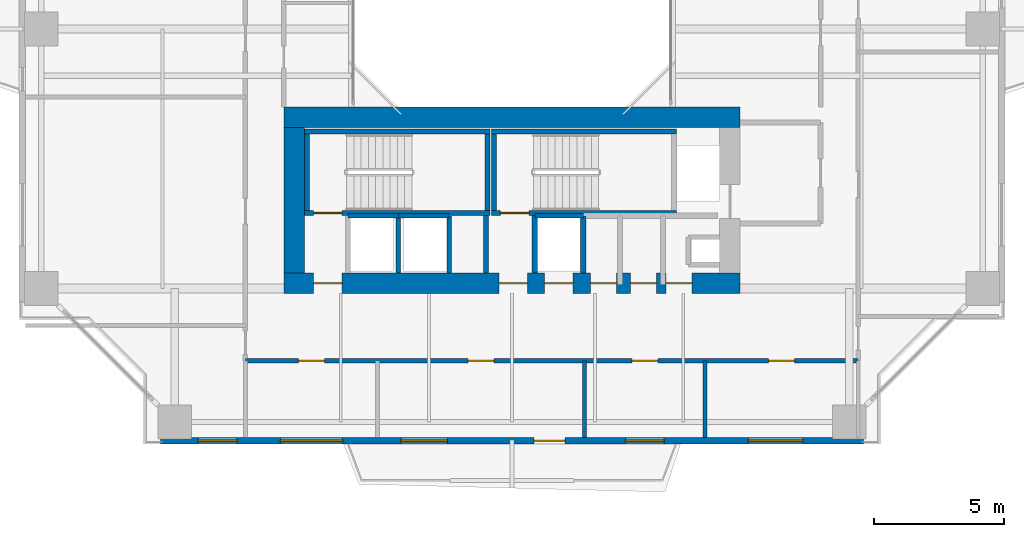
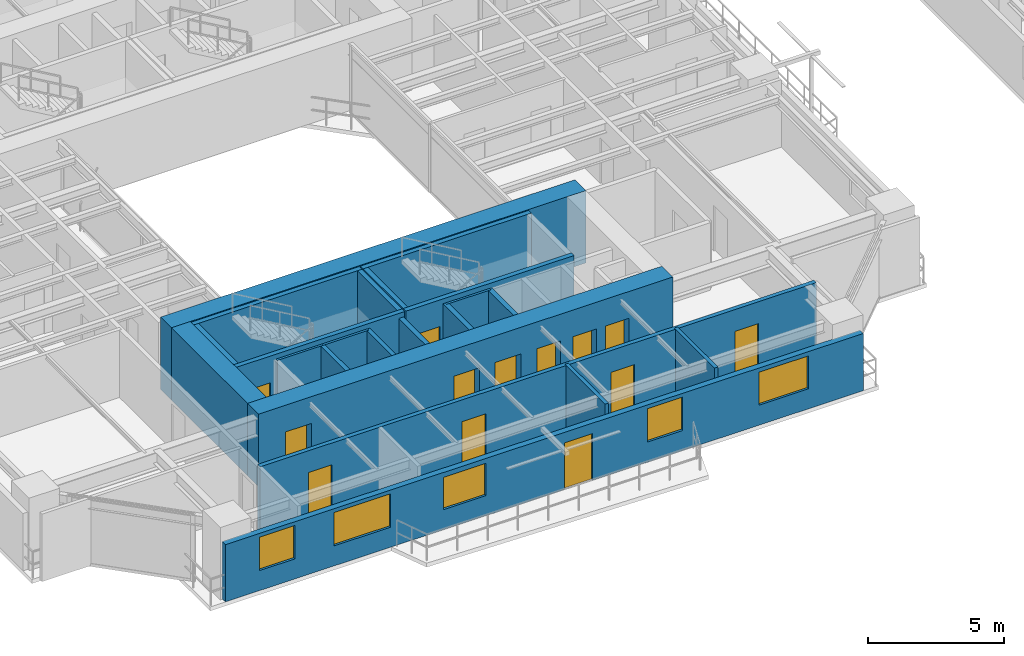
# One storey, part 12 of 24: 22 walls, 13 doors, 5 windows, 18 openings.
"""IFC4 building model written with IfcOpenShell, lengths in metres."""

from ifc_helpers import new_model, si_unit, direction, frame, frame_2d, origin, place, context, subcontext, project, spatial, rectangle, extrude, source, transform, mapped, material, layer, layer_set, type_object, element, fill, save


model = new_model("IFC4")

# Units and contexts
model_context = context("Model", 3, precision=1e-05, world=origin(), true_north=direction((0.0, 1.0)))
body_context = subcontext(model_context, "Body", "Model", "MODEL_VIEW")
ifc_project = project(units=[si_unit("LENGTHUNIT", "METRE"), si_unit("AREAUNIT", "SQUARE_METRE"), si_unit("VOLUMEUNIT", "CUBIC_METRE"), si_unit("PLANEANGLEUNIT", "RADIAN"), si_unit("MASSUNIT", "GRAM", prefix="KILO"), si_unit("THERMODYNAMICTEMPERATUREUNIT", "KELVIN"), si_unit("POWERUNIT", "WATT")], contexts=[model_context])

# Site, building, storey
site_placement = place(None, origin())
site = spatial("IfcSite", under=ifc_project, at=site_placement, CompositionType="ELEMENT")
building_placement = place(site_placement, origin())
building = spatial("IfcBuilding", under=site, at=building_placement, Name="Qiaomeng Ring Towers", CompositionType="ELEMENT")
storey_placement = place(building_placement, frame((0.0, 0.0, 42.5)))
storey = spatial("IfcBuildingStorey", under=building, at=storey_placement, Name="L11", CompositionType="ELEMENT", Elevation=42.5)

# Wall, openings, windows, door
ifc_material_1 = material(Name="Precast concrete C40", Category="concrete")
ifc_layer_1 = layer(ifc_material_1, 0.25, Name="Precast concrete C40")
ifc_layer_set_1 = layer_set([ifc_layer_1], Name="Precast concrete C40")
wall_type_1 = type_object("IfcWallType", Name="ARC-WL-EW1", PredefinedType="STANDARD", material=ifc_layer_set_1)
wall_1_placement = place(storey_placement, frame((5.449951171875, 4.125, 0.0), z_axis=(0.0, 0.0, 1.0), x_axis=(1.0, 0.0, 0.0)))
wall_1 = element("IfcWall", 1, at=wall_1_placement, inside=storey, type_object=wall_type_1, Name="L11 Tower 1 S Exterior Wall", PredefinedType="STANDARD", context=body_context, shape_type="SweptSolid", body=[
    extrude(rectangle(XDim=27.10009765625, YDim=0.25, at=frame_2d((13.550048828125, 0.0))), origin(), (0.0, 0.0, 1.0), 2.570068359375),
])
opening_1_placement = place(wall_1_placement, frame((14.39990234375, 0.0, 0.0)))
opening_1 = element("IfcOpeningElement", 2, at=opening_1_placement, cuts=wall_1, Name="Opening BD1", PredefinedType="OPENING", context=body_context, shape_type="SweptSolid", body=[
    extrude(rectangle(XDim=1.199951171875, YDim=2.10009765625, at=frame_2d((0.60009765625, 1.050048828125))), frame((0.0, 0.135009765625, 0.0), z_axis=(0.0, -1.0, 0.0), x_axis=(1.0, 0.0, 0.0)), (0.0, 0.0, 1.0), 0.27001953125),
])
opening_2_placement = place(wall_1_placement, frame((1.449951171875, 0.0, 0.89990234375)))
opening_2 = element("IfcOpeningElement", 3, at=opening_2_placement, cuts=wall_1, Name="Opening WN2", PredefinedType="OPENING", context=body_context, shape_type="SweptSolid", body=[
    extrude(rectangle(XDim=1.5, YDim=1.5, at=frame_2d((0.75, 0.75))), frame((0.0, 0.135009765625, 0.0), z_axis=(0.0, -1.0, 0.0), x_axis=(1.0, 0.0, 0.0)), (0.0, 0.0, 1.0), 0.27001953125),
])
opening_3_placement = place(wall_1_placement, frame((9.262939453125, 0.0, 0.89990234375)))
opening_3 = element("IfcOpeningElement", 4, at=opening_3_placement, cuts=wall_1, Name="Opening WN1", PredefinedType="OPENING", context=body_context, shape_type="SweptSolid", body=[
    extrude(rectangle(XDim=1.800048828125, YDim=1.449951171875, at=frame_2d((0.89990234375, 0.72509765625))), frame((0.0, 0.135009765625, 0.0), z_axis=(0.0, -1.0, 0.0), x_axis=(1.0, 0.0, 0.0)), (0.0, 0.0, 1.0), 0.27001953125),
])
opening_4_placement = place(wall_1_placement, frame((17.919921875, 0.0, 0.89990234375)))
opening_4 = element("IfcOpeningElement", 5, at=opening_4_placement, cuts=wall_1, Name="Opening WN2", PredefinedType="OPENING", context=body_context, shape_type="SweptSolid", body=[
    extrude(rectangle(XDim=1.5, YDim=1.5, at=frame_2d((0.75, 0.75))), frame((0.0, 0.135009765625, 0.0), z_axis=(0.0, -1.0, 0.0), x_axis=(1.0, 0.0, 0.0)), (0.0, 0.0, 1.0), 0.27001953125),
])
opening_5_placement = place(wall_1_placement, frame((22.6630859375, 0.0, 0.89990234375)))
opening_5 = element("IfcOpeningElement", 6, at=opening_5_placement, cuts=wall_1, Name="Opening WN4", PredefinedType="OPENING", context=body_context, shape_type="SweptSolid", body=[
    extrude(rectangle(XDim=2.10009765625, YDim=1.47998046875, at=frame_2d((1.050048828125, 0.739990234375))), frame((0.0, 0.135009765625, 0.0), z_axis=(0.0, -1.0, 0.0), x_axis=(1.0, 0.0, 0.0)), (0.0, 0.0, 1.0), 0.27001953125),
])
opening_6_placement = place(wall_1_placement, frame((4.6201171875, 0.0, 0.89990234375)))
opening_6 = element("IfcOpeningElement", 7, at=opening_6_placement, cuts=wall_1, Name="Opening WN6", PredefinedType="OPENING", context=body_context, shape_type="SweptSolid", body=[
    extrude(rectangle(XDim=2.39990234375, YDim=1.5, at=frame_2d((1.199951171875, 0.75))), frame((0.0, 0.135009765625, 0.0), z_axis=(0.0, -1.0, 0.0), x_axis=(1.0, 0.0, 0.0)), (0.0, 0.0, 1.0), 0.27001953125),
])
ifc_material_2 = material(Name="Low-E dark-grey laminated double glazing", Category="glass")
window_type_1 = type_object("IfcWindowType", Name="ARC-WN-4", PartitioningType="TRIPLE_PANEL_VERTICAL", PredefinedType="WINDOW", material=ifc_material_2)
shared_shape_1 = source(origin(), body_context, "Body", "SweptSolid", [
    extrude(rectangle(XDim=2.10009765625, YDim=1.47998046875, at=frame_2d((1.050048828125, 0.739990234375))), frame((0.0, 0.030029296875, 0.0), z_axis=(0.0, -1.0, 0.0), x_axis=(1.0, 0.0, 0.0)), (0.0, 0.0, 1.0), 0.06005859375),
])
window_1_placement = place(opening_5_placement, origin())
window_1 = element("IfcWindow", 8, at=window_1_placement, inside=storey, type_object=window_type_1, Name="L11 Exterior Window WN4", OverallHeight=1.47998046875, OverallWidth=2.10009765625, PartitioningType="TRIPLE_PANEL_VERTICAL", PredefinedType="WINDOW", context=body_context, shape_type="MappedRepresentation", body=[
    mapped(shared_shape_1, transform((0.0, 0.0, 0.0), x_axis=(1.0, 0.0, 0.0), y_axis=(0.0, 1.0, 0.0), z_axis=(0.0, 0.0, 1.0), scale=1.0)),
])
fill(opening_5, window_1)
window_type_2 = type_object("IfcWindowType", Name="ARC-WN-1", PartitioningType="DOUBLE_PANEL_VERTICAL", PredefinedType="WINDOW", material=ifc_material_2)
shared_shape_2 = source(origin(), body_context, "Body", "SweptSolid", [
    extrude(rectangle(XDim=1.800048828125, YDim=1.449951171875, at=frame_2d((0.89990234375, 0.72509765625))), frame((0.0, 0.030029296875, 0.0), z_axis=(0.0, -1.0, 0.0), x_axis=(1.0, 0.0, 0.0)), (0.0, 0.0, 1.0), 0.06005859375),
])
window_2_placement = place(opening_3_placement, origin())
window_2 = element("IfcWindow", 9, at=window_2_placement, inside=storey, type_object=window_type_2, Name="L11 Exterior Window WN1", OverallHeight=1.449951171875, OverallWidth=1.800048828125, PartitioningType="DOUBLE_PANEL_VERTICAL", PredefinedType="WINDOW", context=body_context, shape_type="MappedRepresentation", body=[
    mapped(shared_shape_2, transform((0.0, 0.0, 0.0), x_axis=(1.0, 0.0, 0.0), y_axis=(0.0, 1.0, 0.0), z_axis=(0.0, 0.0, 1.0), scale=1.0)),
])
fill(opening_3, window_2)
door_type_1 = type_object("IfcDoorType", Name="ARC-DR-BD1", OperationType="NOTDEFINED", PredefinedType="DOOR", material=ifc_material_2)
shared_shape_3 = source(origin(), body_context, "Body", "SweptSolid", [
    extrude(rectangle(XDim=1.199951171875, YDim=2.10009765625, at=frame_2d((0.60009765625, 1.050048828125))), frame((0.0, 0.02490234375, 0.0), z_axis=(0.0, -1.0, 0.0), x_axis=(1.0, 0.0, 0.0)), (0.0, 0.0, 1.0), 0.050048828125),
])
door_1_placement = place(opening_1_placement, frame((1.199951171875, 0.0, 0.0), z_axis=(0.0, 0.0, 1.0), x_axis=(-1.0, 0.0, 0.0)))
door_1 = element("IfcDoor", 10, at=door_1_placement, inside=storey, type_object=door_type_1, Name="L11 S Balcony Glazed Door", OperationType="SINGLE_SWING_LEFT", OverallHeight=2.10009765625, OverallWidth=1.199951171875, PredefinedType="DOOR", context=body_context, shape_type="MappedRepresentation", body=[
    mapped(shared_shape_3, transform((0.0, 0.0, 0.0), x_axis=(1.0, 0.0, 0.0), y_axis=(0.0, 1.0, 0.0), z_axis=(0.0, 0.0, 1.0), scale=1.0)),
])
fill(opening_1, door_1)
window_type_3 = type_object("IfcWindowType", Name="ARC-WN-2", PartitioningType="DOUBLE_PANEL_VERTICAL", PredefinedType="WINDOW", material=ifc_material_2)
shared_shape_4 = source(origin(), body_context, "Body", "SweptSolid", [
    extrude(rectangle(XDim=1.5, YDim=1.5, at=frame_2d((0.75, 0.75))), frame((0.0, 0.030029296875, 0.0), z_axis=(0.0, -1.0, 0.0), x_axis=(1.0, 0.0, 0.0)), (0.0, 0.0, 1.0), 0.06005859375),
])
window_3_placement = place(opening_2_placement, origin())
window_3 = element("IfcWindow", 11, at=window_3_placement, inside=storey, type_object=window_type_3, Name="L11 Exterior Window WN6", OverallHeight=1.5, OverallWidth=1.5, PartitioningType="TRIPLE_PANEL_VERTICAL", PredefinedType="WINDOW", context=body_context, shape_type="MappedRepresentation", body=[
    mapped(shared_shape_4, transform((0.0, 0.0, 0.0), x_axis=(1.0, 0.0, 0.0), y_axis=(0.0, 1.0, 0.0), z_axis=(0.0, 0.0, 1.0), scale=1.0)),
])
fill(opening_2, window_3)
window_4_placement = place(opening_4_placement, origin())
window_4 = element("IfcWindow", 12, at=window_4_placement, inside=storey, type_object=window_type_3, Name="L11 Exterior Window WN2", OverallHeight=1.5, OverallWidth=1.5, PartitioningType="DOUBLE_PANEL_VERTICAL", PredefinedType="WINDOW", context=body_context, shape_type="MappedRepresentation", body=[
    mapped(shared_shape_4, transform((0.0, 0.0, 0.0), x_axis=(1.0, 0.0, 0.0), y_axis=(0.0, 1.0, 0.0), z_axis=(0.0, 0.0, 1.0), scale=1.0)),
])
fill(opening_4, window_4)
window_type_4 = type_object("IfcWindowType", Name="ARC-WN-6", PartitioningType="TRIPLE_PANEL_VERTICAL", PredefinedType="WINDOW", material=ifc_material_2)
shared_shape_5 = source(origin(), body_context, "Body", "SweptSolid", [
    extrude(rectangle(XDim=2.39990234375, YDim=1.5, at=frame_2d((1.199951171875, 0.75))), frame((0.0, 0.030029296875, 0.0), z_axis=(0.0, -1.0, 0.0), x_axis=(1.0, 0.0, 0.0)), (0.0, 0.0, 1.0), 0.06005859375),
])
window_5_placement = place(opening_6_placement, origin())
window_5 = element("IfcWindow", 13, at=window_5_placement, inside=storey, type_object=window_type_4, Name="L11 Exterior Window WN6", OverallHeight=1.5, OverallWidth=2.39990234375, PartitioningType="TRIPLE_PANEL_VERTICAL", PredefinedType="WINDOW", context=body_context, shape_type="MappedRepresentation", body=[
    mapped(shared_shape_5, transform((0.0, 0.0, 0.0), x_axis=(1.0, 0.0, 0.0), y_axis=(0.0, 1.0, 0.0), z_axis=(0.0, 0.0, 1.0), scale=1.0)),
])
fill(opening_6, window_5)

# Walls
ifc_material_3 = material(Name="Autoclaved aerated concrete block", Category="concrete")
ifc_layer_2 = layer(ifc_material_3, 0.199951171875, Name="Autoclaved aerated concrete block")
ifc_layer_set_2 = layer_set([ifc_layer_2], Name="Autoclaved aerated concrete block")
wall_type_2 = type_object("IfcWallType", Name="ARC-WL-PW1", PredefinedType="PARTITIONING", material=ifc_layer_set_2)
for number, where, z_axis, x_axis, name in (
    (14, (18.0, 10.60009765625, 0.0), (0.0, 0.0, 1.0), (0.0, 1.0, 0.0), "L11 Interior Wall PW1"),
    (15, (19.8798828125, 10.60009765625, 0.0), (0.0, 0.0, 1.0), (0.0, 1.0, 0.0), "L11 Interior Wall PW1"),
):
    element("IfcWall", number, at=place(storey_placement, frame(where, z_axis=z_axis, x_axis=x_axis)), inside=storey, type_object=wall_type_2, Name=name, PredefinedType="PARTITIONING", context=body_context, shape_type="SweptSolid", body=[
        extrude(rectangle(XDim=2.2099609375, YDim=0.199951171875, at=frame_2d((1.10498046875, 0.0))), origin(), (0.0, 0.0, 1.0), 3.030029296875),
    ])
wall_2_placement = place(storey_placement, frame((21.75, 10.60009765625, 0.0), z_axis=(0.0, 0.0, 1.0), x_axis=(0.0, 1.0, 0.0)))
element("IfcWall", 16, at=wall_2_placement, inside=storey, type_object=wall_type_2, Name="L11 Interior Wall PW1", PredefinedType="PARTITIONING", context=body_context, shape_type="SweptSolid", body=[
    extrude(rectangle(XDim=2.199951171875, YDim=0.199951171875, at=frame_2d((1.10009765625, 0.0))), origin(), (0.0, 0.0, 1.0), 3.030029296875),
])

# Wall, openings, doors
ifc_layer_3 = layer(ifc_material_3, 0.179931640625, Name="Autoclaved aerated concrete block")
ifc_layer_set_3 = layer_set([ifc_layer_3], Name="Autoclaved aerated concrete block")
wall_type_3 = type_object("IfcWallType", Name="ARC-WL-PW2", PredefinedType="PARTITIONING", material=ifc_layer_set_3)
wall_3_placement = place(storey_placement, frame((8.719970703125, 7.2099609375, 0.0), z_axis=(0.0, 0.0, 1.0), x_axis=(1.0, 0.0, 0.0)))
wall_3 = element("IfcWall", 17, at=wall_3_placement, inside=storey, type_object=wall_type_3, Name="L11 Interior Wall PW2", PredefinedType="PARTITIONING", context=body_context, shape_type="SweptSolid", body=[
    extrude(rectangle(XDim=23.630126953125, YDim=0.179931640625, at=frame_2d((11.81494140625, 0.0))), origin(), (0.0, 0.0, 1.0), 3.030029296875),
])
opening_7_placement = place(wall_3_placement, frame((2.050048828125, 0.0, 0.0)))
opening_7 = element("IfcOpeningElement", 18, at=opening_7_placement, cuts=wall_3, Name="Opening FD4", PredefinedType="OPENING", context=body_context, shape_type="SweptSolid", body=[
    extrude(rectangle(XDim=1.0, YDim=2.050048828125, at=frame_2d((0.5, 1.02490234375))), frame((0.0, 0.099853515625, 0.0), z_axis=(0.0, -1.0, 0.0), x_axis=(1.0, 0.0, 0.0)), (0.0, 0.0, 1.0), 0.199951171875),
])
opening_8_placement = place(wall_3_placement, frame((8.590087890625, 0.0, 0.0)))
opening_8 = element("IfcOpeningElement", 19, at=opening_8_placement, cuts=wall_3, Name="Opening FD4", PredefinedType="OPENING", context=body_context, shape_type="SweptSolid", body=[
    extrude(rectangle(XDim=1.0, YDim=2.050048828125, at=frame_2d((0.5, 1.02490234375))), frame((0.0, 0.099853515625, 0.0), z_axis=(0.0, -1.0, 0.0), x_axis=(1.0, 0.0, 0.0)), (0.0, 0.0, 1.0), 0.199951171875),
])
opening_9_placement = place(wall_3_placement, frame((14.89990234375, 0.0, 0.0)))
opening_9 = element("IfcOpeningElement", 20, at=opening_9_placement, cuts=wall_3, Name="Opening FD4", PredefinedType="OPENING", context=body_context, shape_type="SweptSolid", body=[
    extrude(rectangle(XDim=1.0, YDim=2.050048828125, at=frame_2d((0.5, 1.02490234375))), frame((0.0, 0.099853515625, 0.0), z_axis=(0.0, -1.0, 0.0), x_axis=(1.0, 0.0, 0.0)), (0.0, 0.0, 1.0), 0.199951171875),
])
opening_10_placement = place(wall_3_placement, frame((20.175048828125, 0.0, 0.0)))
opening_10 = element("IfcOpeningElement", 21, at=opening_10_placement, cuts=wall_3, Name="Opening FD4", PredefinedType="OPENING", context=body_context, shape_type="SweptSolid", body=[
    extrude(rectangle(XDim=1.0, YDim=2.050048828125, at=frame_2d((0.5, 1.02490234375))), frame((0.0, 0.099853515625, 0.0), z_axis=(0.0, -1.0, 0.0), x_axis=(1.0, 0.0, 0.0)), (0.0, 0.0, 1.0), 0.199951171875),
])
ifc_material_4 = material(Name="Engineered fire-rated oak timber", Category="wood")
door_type_2 = type_object("IfcDoorType", Name="ARC-DR-FD4", OperationType="NOTDEFINED", PredefinedType="DOOR", material=ifc_material_4)
shared_shape_6 = source(origin(), body_context, "Body", "SweptSolid", [
    extrude(rectangle(XDim=1.0, YDim=2.050048828125, at=frame_2d((0.5, 1.02490234375))), frame((0.0, 0.02490234375, 0.0), z_axis=(0.0, -1.0, 0.0), x_axis=(1.0, 0.0, 0.0)), (0.0, 0.0, 1.0), 0.050048828125),
])
door_2_placement = place(opening_7_placement, origin())
door_2 = element("IfcDoor", 22, at=door_2_placement, inside=storey, type_object=door_type_2, Name="L11 Door FD4", OperationType="SINGLE_SWING_LEFT", OverallHeight=2.050048828125, OverallWidth=1.0, PredefinedType="DOOR", context=body_context, shape_type="MappedRepresentation", body=[
    mapped(shared_shape_6, transform((0.0, 0.0, 0.0), x_axis=(1.0, 0.0, 0.0), y_axis=(0.0, 1.0, 0.0), z_axis=(0.0, 0.0, 1.0), scale=1.0)),
])
fill(opening_7, door_2)
door_3_placement = place(opening_8_placement, origin())
door_3 = element("IfcDoor", 23, at=door_3_placement, inside=storey, type_object=door_type_2, Name="L11 Door FD4", OperationType="SINGLE_SWING_RIGHT", OverallHeight=2.050048828125, OverallWidth=1.0, PredefinedType="DOOR", context=body_context, shape_type="MappedRepresentation", body=[
    mapped(shared_shape_6, transform((0.0, 0.0, 0.0), x_axis=(1.0, 0.0, 0.0), y_axis=(0.0, 1.0, 0.0), z_axis=(0.0, 0.0, 1.0), scale=1.0)),
])
fill(opening_8, door_3)
door_4_placement = place(opening_9_placement, origin())
door_4 = element("IfcDoor", 24, at=door_4_placement, inside=storey, type_object=door_type_2, Name="L11 Door FD4", OperationType="SINGLE_SWING_LEFT", OverallHeight=2.050048828125, OverallWidth=1.0, PredefinedType="DOOR", context=body_context, shape_type="MappedRepresentation", body=[
    mapped(shared_shape_6, transform((0.0, 0.0, 0.0), x_axis=(1.0, 0.0, 0.0), y_axis=(0.0, 1.0, 0.0), z_axis=(0.0, 0.0, 1.0), scale=1.0)),
])
fill(opening_9, door_4)
door_5_placement = place(opening_10_placement, origin())
door_5 = element("IfcDoor", 25, at=door_5_placement, inside=storey, type_object=door_type_2, Name="L11 Door FD4", OperationType="SINGLE_SWING_RIGHT", OverallHeight=2.050048828125, OverallWidth=1.0, PredefinedType="DOOR", context=body_context, shape_type="MappedRepresentation", body=[
    mapped(shared_shape_6, transform((0.0, 0.0, 0.0), x_axis=(1.0, 0.0, 0.0), y_axis=(0.0, 1.0, 0.0), z_axis=(0.0, 0.0, 1.0), scale=1.0)),
])
fill(opening_10, door_5)

# Walls
ifc_material_5 = material(Name="Gypsum fireboard steel-stud partition", Category="steel")
ifc_layer_4 = layer(ifc_material_5, 0.14990234375, Name="Gypsum fireboard steel-stud partition")
ifc_layer_set_4 = layer_set([ifc_layer_4], Name="Gypsum fireboard steel-stud partition")
wall_type_4 = type_object("IfcWallType", Name="ARC-WL-PW3", PredefinedType="PARTITIONING", material=ifc_layer_set_4)
for number, where, z_axis, x_axis, name in (
    (26, (21.800048828125, 4.25, 0.0), (0.0, 0.0, 1.0), (0.0, 1.0, 0.0), "L11 Interior Wall PW3"),
    (27, (26.43994140625, 4.25, 0.0), (0.0, 0.0, 1.0), (0.0, 1.0, 0.0), "L11 Interior Wall PW3"),
):
    element("IfcWall", number, at=place(storey_placement, frame(where, z_axis=z_axis, x_axis=x_axis)), inside=storey, type_object=wall_type_4, Name=name, PredefinedType="PARTITIONING", context=body_context, shape_type="SweptSolid", body=[
        extrude(rectangle(XDim=2.9599609375, YDim=0.14990234375, at=frame_2d((1.47998046875, 0.0))), origin(), (0.0, 0.0, 1.0), 3.030029296875),
    ])
ifc_material_6 = material(Name="Concrete C40", Category="concrete")
ifc_layer_5 = layer(ifc_material_6, 0.199951171875, Name="Concrete C40")
ifc_layer_set_5 = layer_set([ifc_layer_5], Name="Concrete C40")
wall_type_5 = type_object("IfcWallType", Name="STR-WL-STSHAFT", PredefinedType="SHEAR", material=ifc_layer_set_5)
wall_4_placement = place(storey_placement, frame((12.679931640625, 12.800048828125, 0.0), z_axis=(0.0, 0.0, 1.0), x_axis=(1.0, 0.0, 0.0)))
element("IfcWall", 28, at=wall_4_placement, inside=storey, type_object=wall_type_5, Name="L11 Lift LP6 Shaft Back Wall", PredefinedType="SHEAR", context=body_context, shape_type="SweptSolid", body=[
    extrude(rectangle(XDim=1.940185546875, YDim=0.179931640625, at=frame_2d((0.97021484375, 0.0))), origin(), (0.0, 0.0, 1.0), 3.030029296875),
])
wall_5_placement = place(storey_placement, frame((14.6201171875, 10.60009765625, 0.0), z_axis=(0.0, 0.0, 1.0), x_axis=(0.0, 1.0, 0.0)))
element("IfcWall", 29, at=wall_5_placement, inside=storey, type_object=wall_type_5, Name="L11 Lift LP6-LP4 Shaft Divider Wall", PredefinedType="SHEAR", context=body_context, shape_type="SweptSolid", body=[
    extrude(rectangle(XDim=2.199951171875, YDim=0.179931640625, at=frame_2d((1.10009765625, 0.0))), origin(), (0.0, 0.0, 1.0), 3.030029296875),
])
wall_6_placement = place(storey_placement, frame((14.6201171875, 12.800048828125, 0.0), z_axis=(0.0, 0.0, 1.0), x_axis=(1.0, 0.0, 0.0)))
element("IfcWall", 30, at=wall_6_placement, inside=storey, type_object=wall_type_5, Name="L11 Lift LP4 Shaft Back Wall", PredefinedType="SHEAR", context=body_context, shape_type="SweptSolid", body=[
    extrude(rectangle(XDim=1.9599609375, YDim=0.179931640625, at=frame_2d((0.97998046875, 0.0))), origin(), (0.0, 0.0, 1.0), 3.030029296875),
])
wall_7_placement = place(storey_placement, frame((16.580078125, 10.60009765625, 0.0), z_axis=(0.0, 0.0, 1.0), x_axis=(0.0, 1.0, 0.0)))
element("IfcWall", 31, at=wall_7_placement, inside=storey, type_object=wall_type_5, Name="L11 Lift LP4 East Shaft Wall", PredefinedType="SHEAR", context=body_context, shape_type="SweptSolid", body=[
    extrude(rectangle(XDim=2.199951171875, YDim=0.179931640625, at=frame_2d((1.10009765625, 0.0))), origin(), (0.0, 0.0, 1.0), 3.030029296875),
])
wall_8_placement = place(storey_placement, frame((19.8798828125, 12.800048828125, 0.0), z_axis=(0.0, 0.0, 1.0), x_axis=(1.0, 0.0, 0.0)))
element("IfcWall", 32, at=wall_8_placement, inside=storey, type_object=wall_type_5, Name="L11 Lift LP2 Shaft Back Wall", PredefinedType="SHEAR", context=body_context, shape_type="SweptSolid", body=[
    extrude(rectangle(XDim=1.8701171875, YDim=0.179931640625, at=frame_2d((0.93505859375, 0.0))), origin(), (0.0, 0.0, 1.0), 3.030029296875),
])

# Wall, opening, door
wall_9_placement = place(storey_placement, frame((11.0, 12.909912109375, 0.0), z_axis=(0.0, 0.0, 1.0), x_axis=(1.0, 0.0, 0.0)))
wall_9 = element("IfcWall", 33, at=wall_9_placement, inside=storey, type_object=wall_type_5, Name="L11 Stair ST3 South Shaft Shear Wall", PredefinedType="SHEAR", context=body_context, shape_type="SweptSolid", body=[
    extrude(rectangle(XDim=7.14990234375, YDim=0.199951171875, at=frame_2d((3.574951171875, 0.0))), origin(), (0.0, 0.0, 1.0), 3.25),
])
opening_11_placement = place(wall_9_placement, frame((0.35009765625, 0.0, 0.0)))
opening_11 = element("IfcOpeningElement", 34, at=opening_11_placement, cuts=wall_9, Name="Opening FD3", PredefinedType="OPENING", context=body_context, shape_type="SweptSolid", body=[
    extrude(rectangle(XDim=1.10009765625, YDim=2.050048828125, at=frame_2d((0.550048828125, 1.02490234375))), frame((0.0, 0.10986328125, 0.0), z_axis=(0.0, -1.0, 0.0), x_axis=(1.0, 0.0, 0.0)), (0.0, 0.0, 1.0), 0.219970703125),
])
ifc_material_7 = material(Name="Galvanised steel", Category="steel")
door_type_3 = type_object("IfcDoorType", Name="ARC-DR-FD3", OperationType="NOTDEFINED", PredefinedType="DOOR", material=ifc_material_7)
shared_shape_7 = source(origin(), body_context, "Body", "SweptSolid", [
    extrude(rectangle(XDim=1.10009765625, YDim=2.050048828125, at=frame_2d((0.550048828125, 1.02490234375))), frame((0.0, 0.02490234375, 0.0), z_axis=(0.0, -1.0, 0.0), x_axis=(1.0, 0.0, 0.0)), (0.0, 0.0, 1.0), 0.050048828125),
])
door_6_placement = place(opening_11_placement, frame((1.10009765625, 0.0, 0.0), z_axis=(0.0, 0.0, 1.0), x_axis=(-1.0, 0.0, 0.0)))
door_6 = element("IfcDoor", 35, at=door_6_placement, inside=storey, type_object=door_type_3, Name="L11 Stair ST3 Exit Door", OperationType="SINGLE_SWING_RIGHT", OverallHeight=2.050048828125, OverallWidth=1.10009765625, PredefinedType="DOOR", context=body_context, shape_type="MappedRepresentation", body=[
    mapped(shared_shape_7, transform((0.0, 0.0, 0.0), x_axis=(1.0, 0.0, 0.0), y_axis=(0.0, 1.0, 0.0), z_axis=(0.0, 0.0, 1.0), scale=1.0)),
])
fill(opening_11, door_6)

# Walls
wall_10_placement = place(storey_placement, frame((11.0, 16.050048828125, 0.0), z_axis=(0.0, 0.0, 1.0), x_axis=(1.0, 0.0, 0.0)))
element("IfcWall", 36, at=wall_10_placement, inside=storey, type_object=wall_type_5, Name="L11 Stair ST3 North Shaft Shear Wall", PredefinedType="SHEAR", context=body_context, shape_type="SweptSolid", body=[
    extrude(rectangle(XDim=7.14990234375, YDim=0.199951171875, at=frame_2d((3.574951171875, 0.0))), origin(), (0.0, 0.0, 1.0), 3.25),
])
for number, where, z_axis, x_axis, name in (
    (37, (11.10009765625, 13.010009765625, 0.0), (0.0, 0.0, 1.0), (0.0, 1.0, 0.0), "L11 Stair ST3 West Shaft Shear Wall"),
    (38, (18.050048828125, 13.010009765625, 0.0), (0.0, 0.0, 1.0), (0.0, 1.0, 0.0), "L11 Stair ST3 East Shaft Shear Wall"),
):
    element("IfcWall", number, at=place(storey_placement, frame(where, z_axis=z_axis, x_axis=x_axis)), inside=storey, type_object=wall_type_5, Name=name, PredefinedType="SHEAR", context=body_context, shape_type="SweptSolid", body=[
        extrude(rectangle(XDim=2.93994140625, YDim=0.199951171875, at=frame_2d((1.469970703125, 0.0))), origin(), (0.0, 0.0, 1.0), 3.25),
    ])

# Wall, opening, door
wall_11_placement = place(storey_placement, frame((18.199951171875, 12.909912109375, 0.0), z_axis=(0.0, 0.0, 1.0), x_axis=(1.0, 0.0, 0.0)))
wall_11 = element("IfcWall", 39, at=wall_11_placement, inside=storey, type_object=wall_type_5, Name="L11 Stair ST4 South Shaft Shear Wall", PredefinedType="SHEAR", context=body_context, shape_type="SweptSolid", body=[
    extrude(rectangle(XDim=7.150146484375, YDim=0.199951171875, at=frame_2d((3.5751953125, 0.0))), origin(), (0.0, 0.0, 1.0), 3.25),
])
opening_12_placement = place(wall_11_placement, frame((0.35009765625, 0.0, 0.0)))
opening_12 = element("IfcOpeningElement", 40, at=opening_12_placement, cuts=wall_11, Name="Opening FD3", PredefinedType="OPENING", context=body_context, shape_type="SweptSolid", body=[
    extrude(rectangle(XDim=1.10009765625, YDim=2.050048828125, at=frame_2d((0.550048828125, 1.02490234375))), frame((0.0, 0.10986328125, 0.0), z_axis=(0.0, -1.0, 0.0), x_axis=(1.0, 0.0, 0.0)), (0.0, 0.0, 1.0), 0.219970703125),
])
door_7_placement = place(opening_12_placement, frame((1.10009765625, 0.0, 0.0), z_axis=(0.0, 0.0, 1.0), x_axis=(-1.0, 0.0, 0.0)))
door_7 = element("IfcDoor", 41, at=door_7_placement, inside=storey, type_object=door_type_3, Name="L11 Stair ST4 Exit Door", OperationType="SINGLE_SWING_RIGHT", OverallHeight=2.050048828125, OverallWidth=1.10009765625, PredefinedType="DOOR", context=body_context, shape_type="MappedRepresentation", body=[
    mapped(shared_shape_7, transform((0.0, 0.0, 0.0), x_axis=(1.0, 0.0, 0.0), y_axis=(0.0, 1.0, 0.0), z_axis=(0.0, 0.0, 1.0), scale=1.0)),
])
fill(opening_12, door_7)

# Walls
wall_12_placement = place(storey_placement, frame((18.199951171875, 16.050048828125, 0.0), z_axis=(0.0, 0.0, 1.0), x_axis=(1.0, 0.0, 0.0)))
element("IfcWall", 42, at=wall_12_placement, inside=storey, type_object=wall_type_5, Name="L11 Stair ST4 North Shaft Shear Wall", PredefinedType="SHEAR", context=body_context, shape_type="SweptSolid", body=[
    extrude(rectangle(XDim=7.150146484375, YDim=0.199951171875, at=frame_2d((3.5751953125, 0.0))), origin(), (0.0, 0.0, 1.0), 3.25),
])
wall_13_placement = place(storey_placement, frame((18.300048828125, 13.010009765625, 0.0), z_axis=(0.0, 0.0, 1.0), x_axis=(0.0, 1.0, 0.0)))
element("IfcWall", 43, at=wall_13_placement, inside=storey, type_object=wall_type_5, Name="L11 Stair ST4 West Shaft Shear Wall", PredefinedType="SHEAR", context=body_context, shape_type="SweptSolid", body=[
    extrude(rectangle(XDim=2.93994140625, YDim=0.199951171875, at=frame_2d((1.469970703125, 0.0))), origin(), (0.0, 0.0, 1.0), 3.25),
])

# Wall, openings, doors
ifc_material_8 = material(Name="Concrete C60", Category="concrete")
ifc_layer_6 = layer(ifc_material_8, 0.800048828125, Name="Concrete C60")
ifc_layer_set_6 = layer_set([ifc_layer_6], Name="Concrete C60")
wall_type_6 = type_object("IfcWallType", Name="STR-WL-SW1", PredefinedType="SHEAR", material=ifc_layer_set_6)
wall_14_placement = place(storey_placement, frame((10.199951171875, 10.199951171875, 0.0), z_axis=(0.0, 0.0, 1.0), x_axis=(1.0, 0.0, 0.0)))
wall_14 = element("IfcWall", 44, at=wall_14_placement, inside=storey, type_object=wall_type_6, Name="L11 T1SC south core shear wall", PredefinedType="SHEAR", context=body_context, shape_type="SweptSolid", body=[
    extrude(rectangle(XDim=17.60009765625, YDim=0.800048828125, at=frame_2d((8.800048828125, 0.0))), origin(), (0.0, 0.0, 1.0), 3.25),
])
opening_13_placement = place(wall_14_placement, frame((1.14990234375, 0.0, 0.0)))
opening_13 = element("IfcOpeningElement", 45, at=opening_13_placement, cuts=wall_14, Name="Opening FD3", PredefinedType="OPENING", context=body_context, shape_type="SweptSolid", body=[
    extrude(rectangle(XDim=1.10009765625, YDim=2.050048828125, at=frame_2d((0.550048828125, 1.02490234375))), frame((0.0, 0.409912109375, 0.0), z_axis=(0.0, -1.0, 0.0), x_axis=(1.0, 0.0, 0.0)), (0.0, 0.0, 1.0), 0.820068359375),
])
opening_14_placement = place(wall_14_placement, frame((8.300048828125, 0.0, 0.0)))
opening_14 = element("IfcOpeningElement", 46, at=opening_14_placement, cuts=wall_14, Name="Opening FD3", PredefinedType="OPENING", context=body_context, shape_type="SweptSolid", body=[
    extrude(rectangle(XDim=1.10009765625, YDim=2.050048828125, at=frame_2d((0.550048828125, 1.02490234375))), frame((0.0, 0.409912109375, 0.0), z_axis=(0.0, -1.0, 0.0), x_axis=(1.0, 0.0, 0.0)), (0.0, 0.0, 1.0), 0.820068359375),
])
opening_15_placement = place(wall_14_placement, frame((10.050048828125, 0.0, 0.0)))
opening_15 = element("IfcOpeningElement", 47, at=opening_15_placement, cuts=wall_14, Name="Opening LD1", PredefinedType="OPENING", context=body_context, shape_type="SweptSolid", body=[
    extrude(rectangle(XDim=1.10009765625, YDim=2.050048828125, at=frame_2d((0.550048828125, 1.02490234375))), frame((0.0, 0.409912109375, 0.0), z_axis=(0.0, -1.0, 0.0), x_axis=(1.0, 0.0, 0.0)), (0.0, 0.0, 1.0), 0.820068359375),
])
opening_16_placement = place(wall_14_placement, frame((14.739990234375, 0.0, 0.0)))
opening_16 = element("IfcOpeningElement", 48, at=opening_16_placement, cuts=wall_14, Name="Opening FD1", PredefinedType="OPENING", context=body_context, shape_type="SweptSolid", body=[
    extrude(rectangle(XDim=1.0, YDim=2.050048828125, at=frame_2d((0.5, 1.02490234375))), frame((0.0, 0.409912109375, 0.0), z_axis=(0.0, -1.0, 0.0), x_axis=(1.0, 0.0, 0.0)), (0.0, 0.0, 1.0), 0.820068359375),
])
opening_17_placement = place(wall_14_placement, frame((11.8349609375, 0.0, 0.0)))
opening_17 = element("IfcOpeningElement", 49, at=opening_17_placement, cuts=wall_14, Name="Opening FD1", PredefinedType="OPENING", context=body_context, shape_type="SweptSolid", body=[
    extrude(rectangle(XDim=1.0, YDim=2.050048828125, at=frame_2d((0.5, 1.02490234375))), frame((0.0, 0.409912109375, 0.0), z_axis=(0.0, -1.0, 0.0), x_axis=(1.0, 0.0, 0.0)), (0.0, 0.0, 1.0), 0.820068359375),
])
opening_18_placement = place(wall_14_placement, frame((13.3701171875, 0.0, 0.0)))
opening_18 = element("IfcOpeningElement", 50, at=opening_18_placement, cuts=wall_14, Name="Opening FD1", PredefinedType="OPENING", context=body_context, shape_type="SweptSolid", body=[
    extrude(rectangle(XDim=1.0, YDim=2.050048828125, at=frame_2d((0.5, 1.02490234375))), frame((0.0, 0.409912109375, 0.0), z_axis=(0.0, -1.0, 0.0), x_axis=(1.0, 0.0, 0.0)), (0.0, 0.0, 1.0), 0.820068359375),
])
door_8_placement = place(opening_13_placement, origin())
door_8 = element("IfcDoor", 51, at=door_8_placement, inside=storey, type_object=door_type_3, Name="L11 Stair ST3 Lobby Door", OperationType="SINGLE_SWING_LEFT", OverallHeight=2.050048828125, OverallWidth=1.10009765625, PredefinedType="DOOR", context=body_context, shape_type="MappedRepresentation", body=[
    mapped(shared_shape_7, transform((0.0, 0.0, 0.0), x_axis=(1.0, 0.0, 0.0), y_axis=(0.0, 1.0, 0.0), z_axis=(0.0, 0.0, 1.0), scale=1.0)),
])
fill(opening_13, door_8)
door_9_placement = place(opening_14_placement, origin())
door_9 = element("IfcDoor", 52, at=door_9_placement, inside=storey, type_object=door_type_3, Name="L11 Stair ST4 Lobby Door", OperationType="SINGLE_SWING_LEFT", OverallHeight=2.050048828125, OverallWidth=1.10009765625, PredefinedType="DOOR", context=body_context, shape_type="MappedRepresentation", body=[
    mapped(shared_shape_7, transform((0.0, 0.0, 0.0), x_axis=(1.0, 0.0, 0.0), y_axis=(0.0, 1.0, 0.0), z_axis=(0.0, 0.0, 1.0), scale=1.0)),
])
fill(opening_14, door_9)
ifc_material_9 = material(Name="Stainless steel 316", Category="steel")
door_type_4 = type_object("IfcDoorType", Name="ARC-DR-LD1", OperationType="NOTDEFINED", PredefinedType="DOOR", material=ifc_material_9)
door_10_placement = place(opening_15_placement, origin())
door_10 = element("IfcDoor", 53, at=door_10_placement, inside=storey, type_object=door_type_4, Name="L11 Low-Zone Lift LP2 Landing Door", OperationType="SLIDING_TO_RIGHT", OverallHeight=2.050048828125, OverallWidth=1.10009765625, PredefinedType="DOOR", context=body_context, shape_type="MappedRepresentation", body=[
    mapped(shared_shape_7, transform((0.0, 0.0, 0.0), x_axis=(1.0, 0.0, 0.0), y_axis=(0.0, 1.0, 0.0), z_axis=(0.0, 0.0, 1.0), scale=1.0)),
])
fill(opening_15, door_10)
door_type_5 = type_object("IfcDoorType", Name="ARC-DR-FD1", OperationType="NOTDEFINED", PredefinedType="DOOR", material=ifc_material_7)
door_11_placement = place(opening_16_placement, origin())
door_11 = element("IfcDoor", 54, at=door_11_placement, inside=storey, type_object=door_type_5, Name="L11 South Electrical Riser Door", OperationType="SINGLE_SWING_RIGHT", OverallHeight=2.050048828125, OverallWidth=1.0, PredefinedType="DOOR", context=body_context, shape_type="MappedRepresentation", body=[
    mapped(shared_shape_6, transform((0.0, 0.0, 0.0), x_axis=(1.0, 0.0, 0.0), y_axis=(0.0, 1.0, 0.0), z_axis=(0.0, 0.0, 1.0), scale=1.0)),
])
fill(opening_16, door_11)
door_12_placement = place(opening_17_placement, origin())
door_12 = element("IfcDoor", 55, at=door_12_placement, inside=storey, type_object=door_type_5, Name="L11 South Cleaners Cupboard Door", OperationType="SINGLE_SWING_LEFT", OverallHeight=2.050048828125, OverallWidth=1.0, PredefinedType="DOOR", context=body_context, shape_type="MappedRepresentation", body=[
    mapped(shared_shape_6, transform((0.0, 0.0, 0.0), x_axis=(1.0, 0.0, 0.0), y_axis=(0.0, 1.0, 0.0), z_axis=(0.0, 0.0, 1.0), scale=1.0)),
])
fill(opening_17, door_12)
door_13_placement = place(opening_18_placement, origin())
door_13 = element("IfcDoor", 56, at=door_13_placement, inside=storey, type_object=door_type_5, Name="L11 South Tea Pantry Door", OperationType="SINGLE_SWING_RIGHT", OverallHeight=2.050048828125, OverallWidth=1.0, PredefinedType="DOOR", context=body_context, shape_type="MappedRepresentation", body=[
    mapped(shared_shape_6, transform((0.0, 0.0, 0.0), x_axis=(1.0, 0.0, 0.0), y_axis=(0.0, 1.0, 0.0), z_axis=(0.0, 0.0, 1.0), scale=1.0)),
])
fill(opening_18, door_13)

# Walls
wall_15_placement = place(storey_placement, frame((10.199951171875, 16.60009765625, 0.0), z_axis=(0.0, 0.0, 1.0), x_axis=(1.0, 0.0, 0.0)))
element("IfcWall", 57, at=wall_15_placement, inside=storey, type_object=wall_type_6, Name="L11 T1SC north core shear wall", PredefinedType="SHEAR", context=body_context, shape_type="SweptSolid", body=[
    extrude(rectangle(XDim=17.60009765625, YDim=0.800048828125, at=frame_2d((8.800048828125, 0.0))), origin(), (0.0, 0.0, 1.0), 3.25),
])
wall_16_placement = place(storey_placement, frame((10.60009765625, 10.60009765625, 0.0), z_axis=(0.0, 0.0, 1.0), x_axis=(0.0, 1.0, 0.0)))
element("IfcWall", 58, at=wall_16_placement, inside=storey, type_object=wall_type_6, Name="L11 T1SC west core shear wall", PredefinedType="SHEAR", context=body_context, shape_type="SweptSolid", body=[
    extrude(rectangle(XDim=5.599853515625, YDim=0.800048828125, at=frame_2d((2.7998046875, 0.0))), origin(), (0.0, 0.0, 1.0), 3.25),
])

save(model, "model.ifc")
